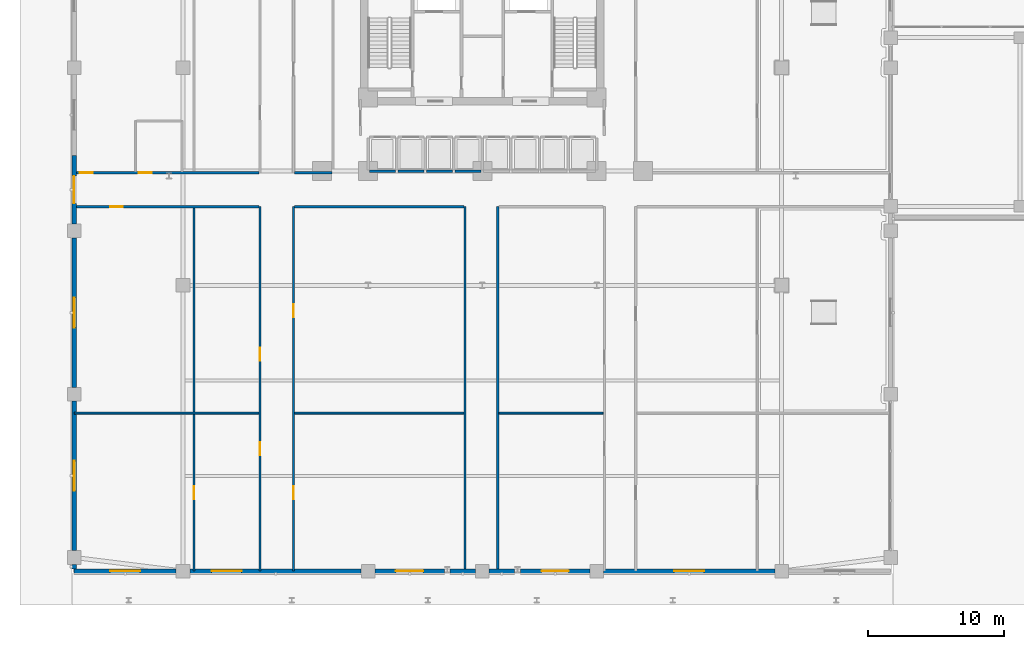
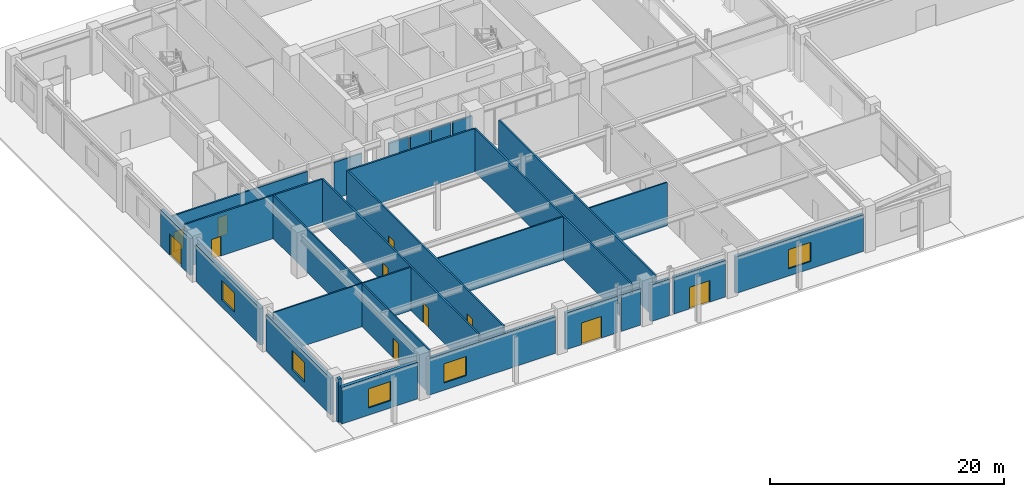
# One storey, part 23 of 40: 27 walls, 11 doors, 5 windows, 16 openings.
"""IFC4 building model written with IfcOpenShell, lengths in metres."""

from ifc_helpers import new_model, si_unit, derived_unit, direction, frame, frame_2d, origin, place, context, subcontext, project, spatial, rectangle, extrude, material, layer, layer_set, type_object, element, fill, save


model = new_model("IFC4")

# Units and contexts
model_context = context("Model", 3, precision=1e-05, world=origin(), true_north=direction((0.0, 1.0)))
body_context = subcontext(model_context, "Body", "Model", "MODEL_VIEW")
ifc_project = project(units=[si_unit("LENGTHUNIT", "METRE"), si_unit("AREAUNIT", "SQUARE_METRE"), si_unit("VOLUMEUNIT", "CUBIC_METRE"), si_unit("PLANEANGLEUNIT", "RADIAN"), si_unit("MASSUNIT", "GRAM", prefix="KILO"), derived_unit("THERMALTRANSMITTANCEUNIT", [(si_unit("POWERUNIT", "WATT"), 1), (si_unit("LENGTHUNIT", "METRE"), -2), (si_unit("THERMODYNAMICTEMPERATUREUNIT", "KELVIN"), -1)])], contexts=[model_context])

# Site, building, storey
site_placement = place(None, origin())
site = spatial("IfcSite", under=ifc_project, at=site_placement, CompositionType="ELEMENT")
building_placement = place(site_placement, origin())
building = spatial("IfcBuilding", under=site, at=building_placement, Name="Korsvarv Bourse and Concert Hall", CompositionType="ELEMENT")
storey_placement = place(building_placement, origin())
storey = spatial("IfcBuildingStorey", under=building, at=storey_placement, Name="L00", CompositionType="ELEMENT", Elevation=0.0)

# Wall, opening, window
ifc_material_1 = material(Name="Precast concrete C45/55 with granite and terracotta", Category="concrete")
ifc_layer_1 = layer(ifc_material_1, 0.320068359375)
ifc_layer_set_1 = layer_set([ifc_layer_1], Name="Precast concrete C45/55 with granite and terracotta")
wall_type_1 = type_object("IfcWallType", Name="WL-EXT-POD", PredefinedType="SOLIDWALL", material=ifc_layer_set_1)
wall_1_placement = place(storey_placement, frame((6.0, 3.0, 0.0), z_axis=(0.0, 0.0, 1.0), x_axis=(1.0, 0.0, 0.0)))
wall_1 = element("IfcWall", 1, at=wall_1_placement, inside=storey, type_object=wall_type_1, Name="L00 terracotta exterior wall EW-L00-S1", PredefinedType="SOLIDWALL", context=body_context, shape_type="SweptSolid", body=[
    extrude(rectangle(XDim=7.4951171875, YDim=0.320068359375, at=frame_2d((3.74755859375, 0.0))), origin(), (0.0, 0.0, 1.0), 3.820068359375),
])
opening_1_placement = place(wall_1_placement, frame((2.6474609375, 0.0, 0.75)))
opening_1 = element("IfcOpeningElement", 2, at=opening_1_placement, cuts=wall_1, Name="Opening W-03", PredefinedType="OPENING", context=body_context, shape_type="SweptSolid", body=[
    extrude(rectangle(XDim=2.199951171875, YDim=2.0, at=frame_2d((1.10009765625, 1.0))), frame((0.0, 0.169921875, 0.0), z_axis=(0.0, -1.0, 0.0), x_axis=(1.0, 0.0, 0.0)), (0.0, 0.0, 1.0), 0.340087890625),
])
ifc_material_2 = material(Name="Thermally broken aluminium frame with triple low-E glass", Category="glass")
window_type = type_object("IfcWindowType", Name="WIN-POD1", PartitioningType="SINGLE_PANEL", PredefinedType="WINDOW", material=ifc_material_2)
window_1_placement = place(opening_1_placement, origin())
window_1 = element("IfcWindow", 3, at=window_1_placement, inside=storey, type_object=window_type, Name="L00 punched facade window W-03", OverallHeight=2.0, OverallWidth=2.199951171875, PartitioningType="SINGLE_PANEL", PredefinedType="WINDOW", context=body_context, shape_type="SweptSolid", body=[
    extrude(rectangle(XDim=2.199951171875, YDim=2.0, at=frame_2d((1.10009765625, 1.0))), frame((0.0, 0.030029296875, 0.0), z_axis=(0.0, -1.0, 0.0), x_axis=(1.0, 0.0, 0.0)), (0.0, 0.0, 1.0), 0.06005859375),
])
fill(opening_1, window_1)

wall_2_placement = place(storey_placement, frame((14.5048828125, 3.0, 0.0), z_axis=(0.0, 0.0, 1.0), x_axis=(1.0, 0.0, 0.0)))
wall_2 = element("IfcWall", 4, at=wall_2_placement, inside=storey, type_object=wall_type_1, Name="L00 terracotta exterior wall EW-L00-S2", PredefinedType="SOLIDWALL", context=body_context, shape_type="SweptSolid", body=[
    extrude(rectangle(XDim=12.590087890625, YDim=0.320068359375, at=frame_2d((6.294921875, 0.0))), origin(), (0.0, 0.0, 1.0), 3.820068359375),
])
opening_2_placement = place(wall_2_placement, frame((1.5986328125, 0.0, 0.75)))
opening_2 = element("IfcOpeningElement", 5, at=opening_2_placement, cuts=wall_2, Name="Opening W-03", PredefinedType="OPENING", context=body_context, shape_type="SweptSolid", body=[
    extrude(rectangle(XDim=2.199951171875, YDim=2.0, at=frame_2d((1.10009765625, 1.0))), frame((0.0, 0.169921875, 0.0), z_axis=(0.0, -1.0, 0.0), x_axis=(1.0, 0.0, 0.0)), (0.0, 0.0, 1.0), 0.340087890625),
])
window_2_placement = place(opening_2_placement, origin())
window_2 = element("IfcWindow", 6, at=window_2_placement, inside=storey, type_object=window_type, Name="L00 punched facade window W-03", OverallHeight=2.0, OverallWidth=2.199951171875, PartitioningType="SINGLE_PANEL", PredefinedType="WINDOW", context=body_context, shape_type="SweptSolid", body=[
    extrude(rectangle(XDim=2.199951171875, YDim=2.0, at=frame_2d((1.10009765625, 1.0))), frame((0.0, 0.030029296875, 0.0), z_axis=(0.0, -1.0, 0.0), x_axis=(1.0, 0.0, 0.0)), (0.0, 0.0, 1.0), 0.06005859375),
])
fill(opening_2, window_2)

# Wall, opening, door
wall_3_placement = place(storey_placement, frame((28.10498046875, 3.0, 0.0), z_axis=(0.0, 0.0, 1.0), x_axis=(1.0, 0.0, 0.0)))
wall_3 = element("IfcWall", 7, at=wall_3_placement, inside=storey, type_object=wall_type_1, Name="L00 terracotta exterior wall EW-L00-S3-1", PredefinedType="SOLIDWALL", context=body_context, shape_type="SweptSolid", body=[
    extrude(rectangle(XDim=5.09619140625, YDim=0.320068359375, at=frame_2d((2.548095703125, 0.0))), origin(), (0.0, 0.0, 1.0), 3.820068359375),
])
opening_3_placement = place(wall_3_placement, frame((1.548095703125, 0.0, 0.0)))
opening_3 = element("IfcOpeningElement", 8, at=opening_3_placement, cuts=wall_3, Name="Opening ED-01", PredefinedType="OPENING", context=body_context, shape_type="SweptSolid", body=[
    extrude(rectangle(XDim=2.0, YDim=2.25, at=frame_2d((1.0, 1.125))), frame((0.0, 0.169921875, 0.0), z_axis=(0.0, -1.0, 0.0), x_axis=(1.0, 0.0, 0.0)), (0.0, 0.0, 1.0), 0.340087890625),
])
ifc_material_3 = material(Name="Thermally broken anodised aluminium and laminated safety glass", Category="aluminium")
door_type_1 = type_object("IfcDoorType", Name="DR-EXT-EXIT", OperationType="DOUBLE_DOOR_SINGLE_SWING", PredefinedType="DOOR", material=ifc_material_3)
door_1_placement = place(opening_3_placement, frame((2.0, 0.0, 0.0), z_axis=(0.0, 0.0, 1.0), x_axis=(-1.0, 0.0, 0.0)))
door_1 = element("IfcDoor", 9, at=door_1_placement, inside=storey, type_object=door_type_1, Name="L00 South Concourse Final Exit Door S2", OperationType="DOUBLE_DOOR_SINGLE_SWING", OverallHeight=2.25, OverallWidth=2.0, PredefinedType="DOOR", context=body_context, shape_type="SweptSolid", body=[
    extrude(rectangle(XDim=2.0, YDim=2.25, at=frame_2d((1.0, 1.125))), frame((0.0, 0.02490234375, 0.0), z_axis=(0.0, -1.0, 0.0), x_axis=(1.0, 0.0, 0.0)), (0.0, 0.0, 1.0), 0.050048828125),
])
fill(opening_3, door_1)

# Walls
for number, where, z_axis, x_axis, name in (
    (10, (33.635009765625, 3.0, 0.0), (0.0, 0.0, 1.0), (1.0, 0.0, 0.0), "L00 terracotta exterior wall EW-L00-S3-2"),
    (11, (36.5048828125, 3.0, 0.0), (0.0, 0.0, 1.0), (1.0, 0.0, 0.0), "L00 terracotta exterior wall EW-L00-S4-1"),
):
    element("IfcWall", number, at=place(storey_placement, frame(where, z_axis=z_axis, x_axis=x_axis)), inside=storey, type_object=wall_type_1, Name=name, PredefinedType="SOLIDWALL", context=body_context, shape_type="SweptSolid", body=[
        extrude(rectangle(XDim=1.860107421875, YDim=0.320068359375, at=frame_2d((0.93017578125, 0.0))), origin(), (0.0, 0.0, 1.0), 3.820068359375),
    ])

# Wall, opening, door
wall_4_placement = place(storey_placement, frame((38.798828125, 3.0, 0.0), z_axis=(0.0, 0.0, 1.0), x_axis=(1.0, 0.0, 0.0)))
wall_4 = element("IfcWall", 12, at=wall_4_placement, inside=storey, type_object=wall_type_1, Name="L00 terracotta exterior wall EW-L00-S4-2", PredefinedType="SOLIDWALL", context=body_context, shape_type="SweptSolid", body=[
    extrude(rectangle(XDim=5.09619140625, YDim=0.320068359375, at=frame_2d((2.548095703125, 0.0))), origin(), (0.0, 0.0, 1.0), 3.820068359375),
])
opening_4_placement = place(wall_4_placement, frame((1.548095703125, 0.0, 0.0)))
opening_4 = element("IfcOpeningElement", 13, at=opening_4_placement, cuts=wall_4, Name="Opening ED-01", PredefinedType="OPENING", context=body_context, shape_type="SweptSolid", body=[
    extrude(rectangle(XDim=2.0, YDim=2.25, at=frame_2d((1.0, 1.125))), frame((0.0, 0.169921875, 0.0), z_axis=(0.0, -1.0, 0.0), x_axis=(1.0, 0.0, 0.0)), (0.0, 0.0, 1.0), 0.340087890625),
])
door_2_placement = place(opening_4_placement, frame((2.0, 0.0, 0.0), z_axis=(0.0, 0.0, 1.0), x_axis=(-1.0, 0.0, 0.0)))
door_2 = element("IfcDoor", 14, at=door_2_placement, inside=storey, type_object=door_type_1, Name="L00 South Concourse Final Exit Door S3", OperationType="DOUBLE_DOOR_SINGLE_SWING", OverallHeight=2.25, OverallWidth=2.0, PredefinedType="DOOR", context=body_context, shape_type="SweptSolid", body=[
    extrude(rectangle(XDim=2.0, YDim=2.25, at=frame_2d((1.0, 1.125))), frame((0.0, 0.02490234375, 0.0), z_axis=(0.0, -1.0, 0.0), x_axis=(1.0, 0.0, 0.0)), (0.0, 0.0, 1.0), 0.050048828125),
])
fill(opening_4, door_2)

# Wall, opening, window
wall_5_placement = place(storey_placement, frame((44.905029296875, 3.0, 0.0), z_axis=(0.0, 0.0, 1.0), x_axis=(1.0, 0.0, 0.0)))
wall_5 = element("IfcWall", 15, at=wall_5_placement, inside=storey, type_object=wall_type_1, Name="L00 terracotta exterior wall EW-L00-S5", PredefinedType="SOLIDWALL", context=body_context, shape_type="SweptSolid", body=[
    extrude(rectangle(XDim=12.590087890625, YDim=0.320068359375, at=frame_2d((6.294921875, 0.0))), origin(), (0.0, 0.0, 1.0), 3.820068359375),
])
opening_5_placement = place(wall_5_placement, frame((5.195068359375, 0.0, 0.75)))
opening_5 = element("IfcOpeningElement", 16, at=opening_5_placement, cuts=wall_5, Name="Opening W-03", PredefinedType="OPENING", context=body_context, shape_type="SweptSolid", body=[
    extrude(rectangle(XDim=2.199951171875, YDim=2.0, at=frame_2d((1.10009765625, 1.0))), frame((0.0, 0.169921875, 0.0), z_axis=(0.0, -1.0, 0.0), x_axis=(1.0, 0.0, 0.0)), (0.0, 0.0, 1.0), 0.340087890625),
])
window_3_placement = place(opening_5_placement, origin())
window_3 = element("IfcWindow", 17, at=window_3_placement, inside=storey, type_object=window_type, Name="L00 punched facade window W-03", OverallHeight=2.0, OverallWidth=2.199951171875, PartitioningType="SINGLE_PANEL", PredefinedType="WINDOW", context=body_context, shape_type="SweptSolid", body=[
    extrude(rectangle(XDim=2.199951171875, YDim=2.0, at=frame_2d((1.10009765625, 1.0))), frame((0.0, 0.030029296875, 0.0), z_axis=(0.0, -1.0, 0.0), x_axis=(1.0, 0.0, 0.0)), (0.0, 0.0, 1.0), 0.06005859375),
])
fill(opening_5, window_3)

# Wall
wall_6_placement = place(storey_placement, frame((6.0, 3.159912109375, 0.0), z_axis=(0.0, 0.0, 1.0), x_axis=(0.0, 1.0, 0.0)))
element("IfcWall", 18, at=wall_6_placement, inside=storey, type_object=wall_type_1, Name="L00 terracotta exterior wall EW-L00-W1-1", PredefinedType="SOLIDWALL", context=body_context, shape_type="SweptSolid", body=[
    extrude(rectangle(XDim=0.335205078125, YDim=0.320068359375, at=frame_2d((0.16748046875, 0.0))), origin(), (0.0, 0.0, 1.0), 4.52001953125),
])

# Wall, opening, window
wall_7_placement = place(storey_placement, frame((6.0, 4.5048828125, 0.0), z_axis=(0.0, 0.0, 1.0), x_axis=(0.0, 1.0, 0.0)))
wall_7 = element("IfcWall", 19, at=wall_7_placement, inside=storey, type_object=wall_type_1, Name="L00 terracotta exterior wall EW-L00-W1-2", PredefinedType="SOLIDWALL", context=body_context, shape_type="SweptSolid", body=[
    extrude(rectangle(XDim=10.990234375, YDim=0.320068359375, at=frame_2d((5.4951171875, 0.0))), origin(), (0.0, 0.0, 1.0), 3.820068359375),
])
opening_6_placement = place(wall_7_placement, frame((4.39501953125, 0.0, 0.75)))
opening_6 = element("IfcOpeningElement", 20, at=opening_6_placement, cuts=wall_7, Name="Opening W-03", PredefinedType="OPENING", context=body_context, shape_type="SweptSolid", body=[
    extrude(rectangle(XDim=2.199951171875, YDim=2.0, at=frame_2d((1.10009765625, 1.0))), frame((0.0, 0.169921875, 0.0), z_axis=(0.0, -1.0, 0.0), x_axis=(1.0, 0.0, 0.0)), (0.0, 0.0, 1.0), 0.340087890625),
])
window_4_placement = place(opening_6_placement, origin())
window_4 = element("IfcWindow", 21, at=window_4_placement, inside=storey, type_object=window_type, Name="L00 punched facade window W-03", OverallHeight=2.0, OverallWidth=2.199951171875, PartitioningType="SINGLE_PANEL", PredefinedType="WINDOW", context=body_context, shape_type="SweptSolid", body=[
    extrude(rectangle(XDim=2.199951171875, YDim=2.0, at=frame_2d((1.10009765625, 1.0))), frame((0.0, 0.030029296875, 0.0), z_axis=(0.0, -1.0, 0.0), x_axis=(1.0, 0.0, 0.0)), (0.0, 0.0, 1.0), 0.06005859375),
])
fill(opening_6, window_4)

wall_8_placement = place(storey_placement, frame((6.0, 16.5048828125, 0.0), z_axis=(0.0, 0.0, 1.0), x_axis=(0.0, 1.0, 0.0)))
wall_8 = element("IfcWall", 22, at=wall_8_placement, inside=storey, type_object=wall_type_1, Name="L00 terracotta exterior wall EW-L00-W2", PredefinedType="SOLIDWALL", context=body_context, shape_type="SweptSolid", body=[
    extrude(rectangle(XDim=10.990234375, YDim=0.320068359375, at=frame_2d((5.4951171875, 0.0))), origin(), (0.0, 0.0, 1.0), 3.820068359375),
])
opening_7_placement = place(wall_8_placement, frame((4.39501953125, 0.0, 0.75)))
opening_7 = element("IfcOpeningElement", 23, at=opening_7_placement, cuts=wall_8, Name="Opening W-03", PredefinedType="OPENING", context=body_context, shape_type="SweptSolid", body=[
    extrude(rectangle(XDim=2.199951171875, YDim=2.0, at=frame_2d((1.10009765625, 1.0))), frame((0.0, 0.169921875, 0.0), z_axis=(0.0, -1.0, 0.0), x_axis=(1.0, 0.0, 0.0)), (0.0, 0.0, 1.0), 0.340087890625),
])
window_5_placement = place(opening_7_placement, origin())
window_5 = element("IfcWindow", 24, at=window_5_placement, inside=storey, type_object=window_type, Name="L00 punched facade window W-03", OverallHeight=2.0, OverallWidth=2.199951171875, PartitioningType="SINGLE_PANEL", PredefinedType="WINDOW", context=body_context, shape_type="SweptSolid", body=[
    extrude(rectangle(XDim=2.199951171875, YDim=2.0, at=frame_2d((1.10009765625, 1.0))), frame((0.0, 0.030029296875, 0.0), z_axis=(0.0, -1.0, 0.0), x_axis=(1.0, 0.0, 0.0)), (0.0, 0.0, 1.0), 0.06005859375),
])
fill(opening_7, window_5)

# Wall, opening, door
wall_9_placement = place(storey_placement, frame((6.0, 28.5048828125, 0.0), z_axis=(0.0, 0.0, 1.0), x_axis=(0.0, 1.0, 0.0)))
wall_9 = element("IfcWall", 25, at=wall_9_placement, inside=storey, type_object=wall_type_1, Name="L00 terracotta exterior wall EW-L00-W3", PredefinedType="SOLIDWALL", context=body_context, shape_type="SweptSolid", body=[
    extrude(rectangle(XDim=5.03515625, YDim=0.320068359375, at=frame_2d((2.517578125, 0.0))), origin(), (0.0, 0.0, 1.0), 3.820068359375),
])
opening_8_placement = place(wall_9_placement, frame((1.517578125, 0.0, 0.0)))
opening_8 = element("IfcOpeningElement", 26, at=opening_8_placement, cuts=wall_9, Name="Opening ED-01", PredefinedType="OPENING", context=body_context, shape_type="SweptSolid", body=[
    extrude(rectangle(XDim=2.0, YDim=2.25, at=frame_2d((1.0, 1.125))), frame((0.0, 0.169921875, 0.0), z_axis=(0.0, -1.0, 0.0), x_axis=(1.0, 0.0, 0.0)), (0.0, 0.0, 1.0), 0.340087890625),
])
door_3_placement = place(opening_8_placement, origin())
door_3 = element("IfcDoor", 27, at=door_3_placement, inside=storey, type_object=door_type_1, Name="L00 West Quay Final Exit Door W1", OperationType="DOUBLE_DOOR_SINGLE_SWING", OverallHeight=2.25, OverallWidth=2.0, PredefinedType="DOOR", context=body_context, shape_type="SweptSolid", body=[
    extrude(rectangle(XDim=2.0, YDim=2.25, at=frame_2d((1.0, 1.125))), frame((0.0, 0.02490234375, 0.0), z_axis=(0.0, -1.0, 0.0), x_axis=(1.0, 0.0, 0.0)), (0.0, 0.0, 1.0), 0.050048828125),
])
fill(opening_8, door_3)

# Wall
ifc_material_4 = material(Name="Double-stud fire-rated acoustic partition", Category="gypsum")
ifc_layer_2 = layer(ifc_material_4, 0.159912109375)
ifc_layer_set_2 = layer_set([ifc_layer_2], Name="Double-stud fire-rated acoustic partition")
wall_type_2 = type_object("IfcWallType", Name="WL-INT-EI60", PredefinedType="PARTITIONING", material=ifc_layer_set_2)
wall_10_placement = place(storey_placement, frame((37.125, 3.02001953125, 0.0), z_axis=(0.0, 0.0, 1.0), x_axis=(0.0, 1.0, 0.0)))
element("IfcWall", 28, at=wall_10_placement, inside=storey, type_object=wall_type_2, Name="L00 interior partition wall W-L00-PCOR-03", PredefinedType="PARTITIONING", context=body_context, shape_type="SweptSolid", body=[
    extrude(rectangle(XDim=26.760009765625, YDim=0.159912109375, at=frame_2d((13.3798828125, 0.0))), origin(), (0.0, 0.0, 1.0), 4.52001953125),
])

# Wall, openings, doors
wall_11_placement = place(storey_placement, frame((22.125, 3.02001953125, 0.0), z_axis=(0.0, 0.0, 1.0), x_axis=(0.0, 1.0, 0.0)))
wall_11 = element("IfcWall", 29, at=wall_11_placement, inside=storey, type_object=wall_type_2, Name="L00 interior partition wall W-L00-PCOR-04", PredefinedType="PARTITIONING", context=body_context, shape_type="SweptSolid", body=[
    extrude(rectangle(XDim=26.760009765625, YDim=0.159912109375, at=frame_2d((13.3798828125, 0.0))), origin(), (0.0, 0.0, 1.0), 4.52001953125),
])
opening_9_placement = place(wall_11_placement, frame((5.2626953125, 0.0, 0.0)))
opening_9 = element("IfcOpeningElement", 30, at=opening_9_placement, cuts=wall_11, Name="Opening D-02", PredefinedType="OPENING", context=body_context, shape_type="SweptSolid", body=[
    extrude(rectangle(XDim=0.949951171875, YDim=2.050048828125, at=frame_2d((0.47509765625, 1.02490234375))), frame((0.0, 0.08984375, 0.0), z_axis=(0.0, -1.0, 0.0), x_axis=(1.0, 0.0, 0.0)), (0.0, 0.0, 1.0), 0.179931640625),
])
opening_10_placement = place(wall_11_placement, frame((18.639892578125, 0.0, 0.0)))
opening_10 = element("IfcOpeningElement", 31, at=opening_10_placement, cuts=wall_11, Name="Opening D-02", PredefinedType="OPENING", context=body_context, shape_type="SweptSolid", body=[
    extrude(rectangle(XDim=0.949951171875, YDim=2.050048828125, at=frame_2d((0.47509765625, 1.02490234375))), frame((0.0, 0.08984375, 0.0), z_axis=(0.0, -1.0, 0.0), x_axis=(1.0, 0.0, 0.0)), (0.0, 0.0, 1.0), 0.179931640625),
])
ifc_material_5 = material(Name="Timber and steel acoustic fire door", Category="wood")
door_type_2 = type_object("IfcDoorType", Name="DR-FD30", OperationType="NOTDEFINED", PredefinedType="DOOR", material=ifc_material_5)
door_4_placement = place(opening_9_placement, origin())
door_4 = element("IfcDoor", 32, at=door_4_placement, inside=storey, type_object=door_type_2, Name="L00 interior door DR-L00-PCOR-RM1212", OperationType="SINGLE_SWING_LEFT", OverallHeight=2.050048828125, OverallWidth=0.949951171875, PredefinedType="DOOR", context=body_context, shape_type="SweptSolid", body=[
    extrude(rectangle(XDim=0.949951171875, YDim=2.050048828125, at=frame_2d((0.47509765625, 1.02490234375))), frame((0.0, 0.02490234375, 0.0), z_axis=(0.0, -1.0, 0.0), x_axis=(1.0, 0.0, 0.0)), (0.0, 0.0, 1.0), 0.050048828125),
])
fill(opening_9, door_4)
door_5_placement = place(opening_10_placement, origin())
door_5 = element("IfcDoor", 33, at=door_5_placement, inside=storey, type_object=door_type_2, Name="L00 interior door DR-L00-PCOR-RM1313", OperationType="SINGLE_SWING_RIGHT", OverallHeight=2.050048828125, OverallWidth=0.949951171875, PredefinedType="DOOR", context=body_context, shape_type="SweptSolid", body=[
    extrude(rectangle(XDim=0.949951171875, YDim=2.050048828125, at=frame_2d((0.47509765625, 1.02490234375))), frame((0.0, 0.02490234375, 0.0), z_axis=(0.0, -1.0, 0.0), x_axis=(1.0, 0.0, 0.0)), (0.0, 0.0, 1.0), 0.050048828125),
])
fill(opening_10, door_5)

# Wall
wall_12_placement = place(storey_placement, frame((34.72509765625, 3.02001953125, 0.0), z_axis=(0.0, 0.0, 1.0), x_axis=(0.0, 1.0, 0.0)))
element("IfcWall", 34, at=wall_12_placement, inside=storey, type_object=wall_type_2, Name="L00 interior partition wall W-L00-PCOR-05", PredefinedType="PARTITIONING", context=body_context, shape_type="SweptSolid", body=[
    extrude(rectangle(XDim=26.760009765625, YDim=0.159912109375, at=frame_2d((13.3798828125, 0.0))), origin(), (0.0, 0.0, 1.0), 4.52001953125),
])

# Wall, openings, doors
wall_13_placement = place(storey_placement, frame((19.6650390625, 3.02001953125, 0.0), z_axis=(0.0, 0.0, 1.0), x_axis=(0.0, 1.0, 0.0)))
wall_13 = element("IfcWall", 35, at=wall_13_placement, inside=storey, type_object=wall_type_2, Name="L00 interior partition wall W-L00-PCOR-06", PredefinedType="PARTITIONING", context=body_context, shape_type="SweptSolid", body=[
    extrude(rectangle(XDim=26.760009765625, YDim=0.159912109375, at=frame_2d((13.3798828125, 0.0))), origin(), (0.0, 0.0, 1.0), 4.52001953125),
])
opening_11_placement = place(wall_13_placement, frame((8.486083984375, 0.0, 0.0)))
opening_11 = element("IfcOpeningElement", 36, at=opening_11_placement, cuts=wall_13, Name="Opening D-02", PredefinedType="OPENING", context=body_context, shape_type="SweptSolid", body=[
    extrude(rectangle(XDim=0.949951171875, YDim=2.050048828125, at=frame_2d((0.47509765625, 1.02490234375))), frame((0.0, 0.08984375, 0.0), z_axis=(0.0, -1.0, 0.0), x_axis=(1.0, 0.0, 0.0)), (0.0, 0.0, 1.0), 0.179931640625),
])
opening_12_placement = place(wall_13_placement, frame((15.42919921875, 0.0, 0.0)))
opening_12 = element("IfcOpeningElement", 37, at=opening_12_placement, cuts=wall_13, Name="Opening D-02", PredefinedType="OPENING", context=body_context, shape_type="SweptSolid", body=[
    extrude(rectangle(XDim=0.949951171875, YDim=2.050048828125, at=frame_2d((0.47509765625, 1.02490234375))), frame((0.0, 0.08984375, 0.0), z_axis=(0.0, -1.0, 0.0), x_axis=(1.0, 0.0, 0.0)), (0.0, 0.0, 1.0), 0.179931640625),
])
door_6_placement = place(opening_11_placement, origin())
door_6 = element("IfcDoor", 38, at=door_6_placement, inside=storey, type_object=door_type_2, Name="L00 interior door DR-L00-PCOR-RM1818", OperationType="SINGLE_SWING_LEFT", OverallHeight=2.050048828125, OverallWidth=0.949951171875, PredefinedType="DOOR", context=body_context, shape_type="SweptSolid", body=[
    extrude(rectangle(XDim=0.949951171875, YDim=2.050048828125, at=frame_2d((0.47509765625, 1.02490234375))), frame((0.0, 0.02490234375, 0.0), z_axis=(0.0, -1.0, 0.0), x_axis=(1.0, 0.0, 0.0)), (0.0, 0.0, 1.0), 0.050048828125),
])
fill(opening_11, door_6)
door_7_placement = place(opening_12_placement, origin())
door_7 = element("IfcDoor", 39, at=door_7_placement, inside=storey, type_object=door_type_2, Name="L00 interior door DR-L00-PCOR-RM1919", OperationType="SINGLE_SWING_RIGHT", OverallHeight=2.050048828125, OverallWidth=0.949951171875, PredefinedType="DOOR", context=body_context, shape_type="SweptSolid", body=[
    extrude(rectangle(XDim=0.949951171875, YDim=2.050048828125, at=frame_2d((0.47509765625, 1.02490234375))), frame((0.0, 0.02490234375, 0.0), z_axis=(0.0, -1.0, 0.0), x_axis=(1.0, 0.0, 0.0)), (0.0, 0.0, 1.0), 0.050048828125),
])
fill(opening_12, door_7)

wall_14_placement = place(storey_placement, frame((6.02001953125, 32.27490234375, 0.0), z_axis=(0.0, 0.0, 1.0), x_axis=(1.0, 0.0, 0.0)))
wall_14 = element("IfcWall", 40, at=wall_14_placement, inside=storey, type_object=wall_type_2, Name="L00 interior partition wall W-L00-PCOR-13", PredefinedType="PARTITIONING", context=body_context, shape_type="SweptSolid", body=[
    extrude(rectangle(XDim=13.56298828125, YDim=0.159912109375, at=frame_2d((6.781494140625, 0.0))), origin(), (0.0, 0.0, 1.0), 3.820068359375),
])
opening_13_placement = place(wall_14_placement, frame((4.719970703125, 0.0, 0.0)))
opening_13 = element("IfcOpeningElement", 41, at=opening_13_placement, cuts=wall_14, Name="Opening D-02", PredefinedType="OPENING", context=body_context, shape_type="SweptSolid", body=[
    extrude(rectangle(XDim=0.949951171875, YDim=2.050048828125, at=frame_2d((0.47509765625, 1.02490234375))), frame((0.0, 0.08984375, 0.0), z_axis=(0.0, -1.0, 0.0), x_axis=(1.0, 0.0, 0.0)), (0.0, 0.0, 1.0), 0.179931640625),
])
opening_14_placement = place(wall_14_placement, frame((0.3798828125, 0.0, 0.0)))
opening_14 = element("IfcOpeningElement", 42, at=opening_14_placement, cuts=wall_14, Name="Opening D-02", PredefinedType="OPENING", context=body_context, shape_type="SweptSolid", body=[
    extrude(rectangle(XDim=0.949951171875, YDim=2.050048828125, at=frame_2d((0.47509765625, 1.02490234375))), frame((0.0, 0.08984375, 0.0), z_axis=(0.0, -1.0, 0.0), x_axis=(1.0, 0.0, 0.0)), (0.0, 0.0, 1.0), 0.179931640625),
])
door_8_placement = place(opening_13_placement, origin())
door_8 = element("IfcDoor", 43, at=door_8_placement, inside=storey, type_object=door_type_2, Name="L00 interior door DR-L00-PCOR-RWC", OperationType="SINGLE_SWING_RIGHT", OverallHeight=2.050048828125, OverallWidth=0.949951171875, PredefinedType="DOOR", context=body_context, shape_type="SweptSolid", body=[
    extrude(rectangle(XDim=0.949951171875, YDim=2.050048828125, at=frame_2d((0.47509765625, 1.02490234375))), frame((0.0, 0.02490234375, 0.0), z_axis=(0.0, -1.0, 0.0), x_axis=(1.0, 0.0, 0.0)), (0.0, 0.0, 1.0), 0.050048828125),
])
fill(opening_13, door_8)
door_9_placement = place(opening_14_placement, origin())
door_9 = element("IfcDoor", 44, at=door_9_placement, inside=storey, type_object=door_type_2, Name="L00 interior door DR-L00-PCOR-RM2020", OperationType="SINGLE_SWING_LEFT", OverallHeight=2.050048828125, OverallWidth=0.949951171875, PredefinedType="DOOR", context=body_context, shape_type="SweptSolid", body=[
    extrude(rectangle(XDim=0.949951171875, YDim=2.050048828125, at=frame_2d((0.47509765625, 1.02490234375))), frame((0.0, 0.02490234375, 0.0), z_axis=(0.0, -1.0, 0.0), x_axis=(1.0, 0.0, 0.0)), (0.0, 0.0, 1.0), 0.050048828125),
])
fill(opening_14, door_9)

# Wall, opening, door
wall_15_placement = place(storey_placement, frame((6.02001953125, 29.77490234375, 0.0), z_axis=(0.0, 0.0, 1.0), x_axis=(1.0, 0.0, 0.0)))
wall_15 = element("IfcWall", 45, at=wall_15_placement, inside=storey, type_object=wall_type_2, Name="L00 interior partition wall W-L00-PCOR-14", PredefinedType="PARTITIONING", context=body_context, shape_type="SweptSolid", body=[
    extrude(rectangle(XDim=13.56298828125, YDim=0.159912109375, at=frame_2d((6.781494140625, 0.0))), origin(), (0.0, 0.0, 1.0), 4.52001953125),
])
opening_15_placement = place(wall_15_placement, frame((2.6142578125, 0.0, 0.0)))
opening_15 = element("IfcOpeningElement", 46, at=opening_15_placement, cuts=wall_15, Name="Opening D-02", PredefinedType="OPENING", context=body_context, shape_type="SweptSolid", body=[
    extrude(rectangle(XDim=0.949951171875, YDim=2.050048828125, at=frame_2d((0.47509765625, 1.02490234375))), frame((0.0, 0.08984375, 0.0), z_axis=(0.0, -1.0, 0.0), x_axis=(1.0, 0.0, 0.0)), (0.0, 0.0, 1.0), 0.179931640625),
])
door_10_placement = place(opening_15_placement, origin())
door_10 = element("IfcDoor", 47, at=door_10_placement, inside=storey, type_object=door_type_2, Name="L00 interior door DR-L00-PCOR-RECP17", OperationType="SINGLE_SWING_RIGHT", OverallHeight=2.050048828125, OverallWidth=0.949951171875, PredefinedType="DOOR", context=body_context, shape_type="SweptSolid", body=[
    extrude(rectangle(XDim=0.949951171875, YDim=2.050048828125, at=frame_2d((0.47509765625, 1.02490234375))), frame((0.0, 0.02490234375, 0.0), z_axis=(0.0, -1.0, 0.0), x_axis=(1.0, 0.0, 0.0)), (0.0, 0.0, 1.0), 0.050048828125),
])
fill(opening_15, door_10)

# Walls
wall_16_placement = place(storey_placement, frame((22.20703125, 29.77490234375, 0.0), z_axis=(0.0, 0.0, 1.0), x_axis=(1.0, 0.0, 0.0)))
element("IfcWall", 48, at=wall_16_placement, inside=storey, type_object=wall_type_2, Name="L00 interior partition wall W-L00-PCOR-15", PredefinedType="PARTITIONING", context=body_context, shape_type="SweptSolid", body=[
    extrude(rectangle(XDim=12.43603515625, YDim=0.159912109375, at=frame_2d((6.218017578125, 0.0))), origin(), (0.0, 0.0, 1.0), 4.52001953125),
])
wall_17_placement = place(storey_placement, frame((22.20703125, 32.27490234375, 0.0), z_axis=(0.0, 0.0, 1.0), x_axis=(1.0, 0.0, 0.0)))
element("IfcWall", 49, at=wall_17_placement, inside=storey, type_object=wall_type_2, Name="L00 interior partition wall W-L00-PCOR-20", PredefinedType="PARTITIONING", context=body_context, shape_type="SweptSolid", body=[
    extrude(rectangle(XDim=2.736083984375, YDim=0.159912109375, at=frame_2d((1.3681640625, 0.0))), origin(), (0.0, 0.0, 1.0), 3.820068359375),
])
ifc_material_6 = material(Name="Gypsum-clad autoclaved concrete shaft wall C30/37", Category="concrete")
ifc_layer_3 = layer(ifc_material_6, 0.179931640625)
ifc_layer_set_3 = layer_set([ifc_layer_3], Name="Gypsum-clad autoclaved concrete shaft wall C30/37")
wall_type_3 = type_object("IfcWallType", Name="WL-INT-EI90", PredefinedType="PARTITIONING", material=ifc_layer_set_3)
wall_18_placement = place(storey_placement, frame((27.68994140625, 32.39990234375, 0.0), z_axis=(0.0, 0.0, 1.0), x_axis=(1.0, 0.0, 0.0)))
element("IfcWall", 50, at=wall_18_placement, inside=storey, type_object=wall_type_3, Name="L00 interior partition wall W-L00-SHFS-PL1", PredefinedType="PARTITIONING", context=body_context, shape_type="SweptSolid", body=[
    extrude(rectangle(XDim=1.920166015625, YDim=0.179931640625, at=frame_2d((0.9599609375, 0.0))), origin(), (0.0, 0.0, 1.0), 3.820068359375),
])
wall_19_placement = place(storey_placement, frame((29.7900390625, 32.39990234375, 0.0), z_axis=(0.0, 0.0, 1.0), x_axis=(1.0, 0.0, 0.0)))
element("IfcWall", 51, at=wall_19_placement, inside=storey, type_object=wall_type_3, Name="L00 interior partition wall W-L00-SHFS-PL2", PredefinedType="PARTITIONING", context=body_context, shape_type="SweptSolid", body=[
    extrude(rectangle(XDim=1.919921875, YDim=0.179931640625, at=frame_2d((0.9599609375, 0.0))), origin(), (0.0, 0.0, 1.0), 3.820068359375),
])
wall_20_placement = place(storey_placement, frame((31.889892578125, 32.39990234375, 0.0), z_axis=(0.0, 0.0, 1.0), x_axis=(1.0, 0.0, 0.0)))
element("IfcWall", 52, at=wall_20_placement, inside=storey, type_object=wall_type_3, Name="L00 interior partition wall W-L00-SHFS-PM1", PredefinedType="PARTITIONING", context=body_context, shape_type="SweptSolid", body=[
    extrude(rectangle(XDim=1.920166015625, YDim=0.179931640625, at=frame_2d((0.9599609375, 0.0))), origin(), (0.0, 0.0, 1.0), 3.820068359375),
])
wall_21_placement = place(storey_placement, frame((33.989990234375, 32.39990234375, 0.0), z_axis=(0.0, 0.0, 1.0), x_axis=(1.0, 0.0, 0.0)))
element("IfcWall", 53, at=wall_21_placement, inside=storey, type_object=wall_type_3, Name="L00 interior partition wall W-L00-SHFS-PM2", PredefinedType="PARTITIONING", context=body_context, shape_type="SweptSolid", body=[
    extrude(rectangle(XDim=1.919921875, YDim=0.179931640625, at=frame_2d((0.9599609375, 0.0))), origin(), (0.0, 0.0, 1.0), 3.820068359375),
])

# Wall, opening, door
ifc_material_7 = material(Name="Insulated steel-stud office acoustic partition", Category="gypsum")
ifc_layer_4 = layer(ifc_material_7, 0.139892578125)
ifc_layer_set_4 = layer_set([ifc_layer_4], Name="Insulated steel-stud office acoustic partition")
wall_type_4 = type_object("IfcWallType", Name="WL-INT-P1", PredefinedType="PARTITIONING", material=ifc_layer_set_4)
wall_22_placement = place(storey_placement, frame((14.804931640625, 3.02001953125, 0.0), z_axis=(0.0, 0.0, 1.0), x_axis=(0.0, 1.0, 0.0)))
wall_22 = element("IfcWall", 54, at=wall_22_placement, inside=storey, type_object=wall_type_4, Name="L00 interior partition wall W-L00-PCOR-22", PredefinedType="PARTITIONING", context=body_context, shape_type="SweptSolid", body=[
    extrude(rectangle(XDim=26.673095703125, YDim=0.139892578125, at=frame_2d((13.33642578125, 0.0))), origin(), (0.0, 0.0, 1.0), 4.52001953125),
])
opening_16_placement = place(wall_22_placement, frame((5.2626953125, 0.0, 0.0)))
opening_16 = element("IfcOpeningElement", 55, at=opening_16_placement, cuts=wall_22, Name="Opening D-03", PredefinedType="OPENING", context=body_context, shape_type="SweptSolid", body=[
    extrude(rectangle(XDim=0.949951171875, YDim=2.050048828125, at=frame_2d((0.47509765625, 1.02490234375))), frame((0.0, 0.080078125, 0.0), z_axis=(0.0, -1.0, 0.0), x_axis=(1.0, 0.0, 0.0)), (0.0, 0.0, 1.0), 0.159912109375),
])
ifc_material_8 = material(Name="Nordic oak acoustic office door", Category="wood")
door_type_3 = type_object("IfcDoorType", Name="DR-INT-1", OperationType="NOTDEFINED", PredefinedType="DOOR", material=ifc_material_8)
door_11_placement = place(opening_16_placement, origin())
door_11 = element("IfcDoor", 56, at=door_11_placement, inside=storey, type_object=door_type_3, Name="L00 interior door DR-L00-PCOR-FCR16", OperationType="SINGLE_SWING_RIGHT", OverallHeight=2.050048828125, OverallWidth=0.949951171875, PredefinedType="DOOR", context=body_context, shape_type="SweptSolid", body=[
    extrude(rectangle(XDim=0.949951171875, YDim=2.050048828125, at=frame_2d((0.47509765625, 1.02490234375))), frame((0.0, 0.02490234375, 0.0), z_axis=(0.0, -1.0, 0.0), x_axis=(1.0, 0.0, 0.0)), (0.0, 0.0, 1.0), 0.050048828125),
])
fill(opening_16, door_11)

# Walls
wall_23_placement = place(storey_placement, frame((6.02001953125, 14.60498046875, 0.0), z_axis=(0.0, 0.0, 1.0), x_axis=(1.0, 0.0, 0.0)))
element("IfcWall", 57, at=wall_23_placement, inside=storey, type_object=wall_type_4, Name="L00 interior partition wall W-L00-PCOR-27", PredefinedType="PARTITIONING", context=body_context, shape_type="SweptSolid", body=[
    extrude(rectangle(XDim=13.56298828125, YDim=0.139892578125, at=frame_2d((6.781494140625, 0.0))), origin(), (0.0, 0.0, 1.0), 4.52001953125),
])
wall_24_placement = place(storey_placement, frame((22.20703125, 14.60498046875, 0.0), z_axis=(0.0, 0.0, 1.0), x_axis=(1.0, 0.0, 0.0)))
element("IfcWall", 58, at=wall_24_placement, inside=storey, type_object=wall_type_4, Name="L00 interior partition wall W-L00-PCOR-29", PredefinedType="PARTITIONING", context=body_context, shape_type="SweptSolid", body=[
    extrude(rectangle(XDim=12.43603515625, YDim=0.139892578125, at=frame_2d((6.218017578125, 0.0))), origin(), (0.0, 0.0, 1.0), 4.52001953125),
])
wall_25_placement = place(storey_placement, frame((37.20703125, 14.60498046875, 0.0), z_axis=(0.0, 0.0, 1.0), x_axis=(1.0, 0.0, 0.0)))
element("IfcWall", 59, at=wall_25_placement, inside=storey, type_object=wall_type_4, Name="L00 interior partition wall W-L00-PCOR-30", PredefinedType="PARTITIONING", context=body_context, shape_type="SweptSolid", body=[
    extrude(rectangle(XDim=7.676025390625, YDim=0.139892578125, at=frame_2d((3.837890625, 0.0))), origin(), (0.0, 0.0, 1.0), 4.52001953125),
])

save(model, "model.ifc")
